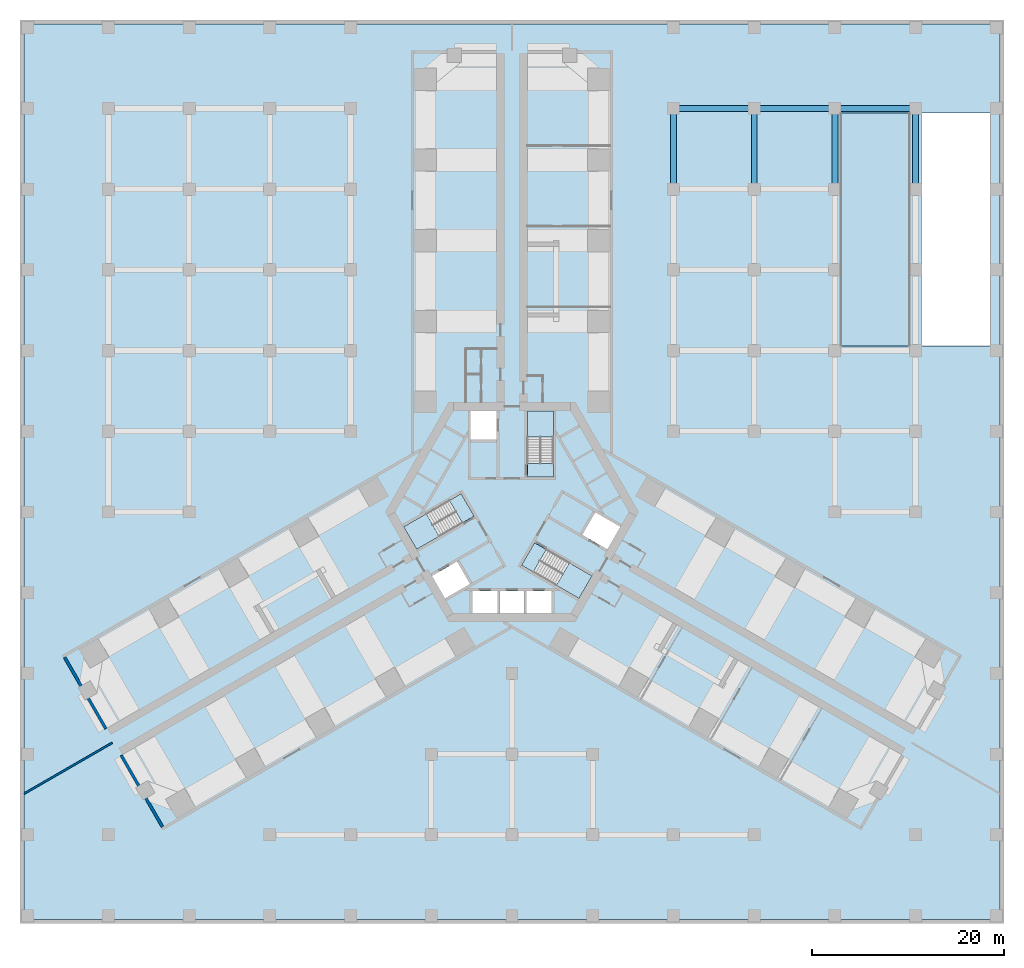
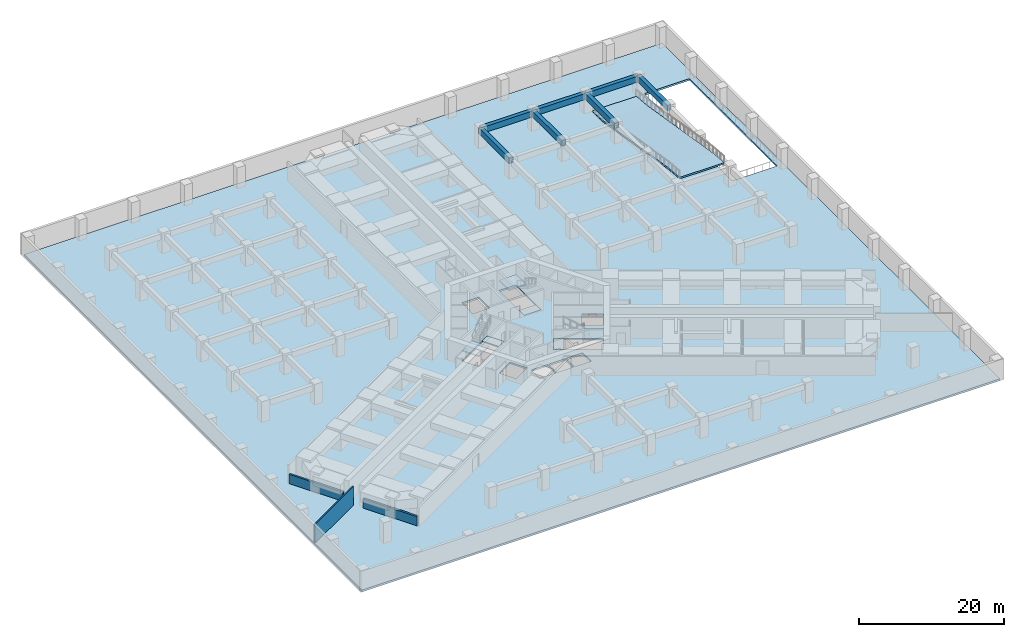
# One storey, part 3 of 10: 8 slabs, 7 beams, 3 walls, 3 elements without a shape of their own.
"""IFC4 building model written with IfcOpenShell, lengths in metres."""

from ifc_helpers import new_model, si_unit, direction, frame, frame_2d, origin, origin_2d, place, context, subcontext, project, spatial, polyline, rectangle, outline, extrude, material, layer, layer_set, material_profile, profile_set, type_object, element, aggregate, save


model = new_model("IFC4")

# Units and contexts
model_context = context("Model", 3, precision=1e-05, world=origin(), true_north=direction((0.0, 1.0)))
body_context = subcontext(model_context, "Body", "Model", "MODEL_VIEW")
ifc_project = project(units=[si_unit("LENGTHUNIT", "METRE"), si_unit("AREAUNIT", "SQUARE_METRE"), si_unit("VOLUMEUNIT", "CUBIC_METRE"), si_unit("PLANEANGLEUNIT", "RADIAN"), si_unit("MASSUNIT", "GRAM", prefix="KILO")], contexts=[model_context])

# Site, building, storey
site_placement = place(None, origin())
site = spatial("IfcSite", under=ifc_project, at=site_placement, CompositionType="ELEMENT")
building_placement = place(site_placement, origin())
building = spatial("IfcBuilding", under=site, at=building_placement, Name="Impinga Residences", CompositionType="ELEMENT")
storey_placement = place(building_placement, frame((0.0, 0.0, -3.5)))
storey = spatial("IfcBuildingStorey", under=building, at=storey_placement, Name="B1", CompositionType="ELEMENT", Elevation=-3.5)

# Beams
ifc_material_1 = material(Name="Concrete C60/75", Category="concrete")
ifc_material_profile = material_profile(ifc_material_1, rectangle(XDim=0.60009765625, YDim=1.0, at=origin_2d()), Name="RC 600x1000")
ifc_profile_set = profile_set([ifc_material_profile], Name="Concrete C60/75")
beam_type = type_object("IfcBeamType", Name="PB1 600x1000 basement and ground floor beam", PredefinedType="BEAM", material=ifc_profile_set)
beam_1_placement = place(storey_placement, frame((16.800048828125, 42.0, 2.64990234375), z_axis=(1.0, 0.0, 0.0), x_axis=(0.0, 1.0, 0.0)))
element("IfcBeam", 1, at=beam_1_placement, inside=storey, type_object=beam_type, Name="Beam PB1 L/9-10 level L00", PredefinedType="BEAM", context=body_context, shape_type="SweptSolid", body=[
    extrude(rectangle(XDim=0.60009765625, YDim=1.0, at=origin_2d()), origin(), (0.0, 0.0, 1.0), 8.39990234375),
])
beam_2_placement = place(storey_placement, frame((25.199951171875, 42.0, 2.64990234375), z_axis=(1.0, 0.0, 0.0), x_axis=(0.0, 1.0, 0.0)))
element("IfcBeam", 2, at=beam_2_placement, inside=storey, type_object=beam_type, Name="Beam PB1 L/10-11 level L00", PredefinedType="BEAM", context=body_context, shape_type="SweptSolid", body=[
    extrude(rectangle(XDim=0.60009765625, YDim=1.0, at=origin_2d()), origin(), (0.0, 0.0, 1.0), 8.400146484375),
])
for number, where, z_axis, x_axis, name in (
    (3, (33.60009765625, 42.0, 2.64990234375), (1.0, 0.0, 0.0), (0.0, 1.0, 0.0), "Beam PB1 L/11-12 level L00"),
    (4, (16.800048828125, 33.60009765625, 2.64990234375), (0.0, 1.0, 0.0), (-1.0, 0.0, 0.0), "Beam PB1 9/K-L level L00"),
    (5, (25.199951171875, 33.60009765625, 2.64990234375), (0.0, 1.0, 0.0), (-1.0, 0.0, 0.0), "Beam PB1 10/K-L level L00"),
    (6, (33.60009765625, 33.60009765625, 2.64990234375), (0.0, 1.0, 0.0), (-1.0, 0.0, 0.0), "Beam PB1 11/K-L level L00"),
    (7, (42.0, 33.60009765625, 2.64990234375), (0.0, 1.0, 0.0), (-1.0, 0.0, 0.0), "Beam PB1 12/K-L level L00"),
):
    element("IfcBeam", number, at=place(storey_placement, frame(where, z_axis=z_axis, x_axis=x_axis)), inside=storey, type_object=beam_type, Name=name, PredefinedType="BEAM", context=body_context, shape_type="SweptSolid", body=[
        extrude(rectangle(XDim=0.60009765625, YDim=1.0, at=origin_2d()), origin(), (0.0, 0.0, 1.0), 8.39990234375),
    ])

# Slab
ifc_layer_1 = layer(ifc_material_1, 0.300048828125)
ifc_layer_set_1 = layer_set([ifc_layer_1], Name="Concrete C60/75")
slab_type_1 = type_object("IfcSlabType", Name="FS2 podium, plant and crown floor slab 300", PredefinedType="FLOOR", material=ifc_layer_set_1)
slab_1_placement = place(storey_placement, frame((0.0, 0.0, -0.300048828125)))
element("IfcSlab", 8, at=slab_1_placement, inside=storey, type_object=slab_type_1, Name="Floor slab FS2 B1", PredefinedType="FLOOR", context=body_context, shape_type="SweptSolid", body=[
    extrude(outline(polyline([(-50.800048828125, 50.800048828125), (50.800048828125, 50.800048828125), (50.800048828125, -42.39990234375), (-50.800048828125, -42.39990234375), (-50.800048828125, 50.800048828125)]), holes=[polyline([(-4.10009765625, -10.531494140625), (-1.5, -10.531494140625), (-1.5, -8.2314453125), (-4.10009765625, -8.2314453125), (-4.10009765625, -10.531494140625)]), polyline([(-1.300048828125, -10.531494140625), (1.300048828125, -10.531494140625), (1.300048828125, -8.2314453125), (-1.300048828125, -8.2314453125), (-1.300048828125, -10.531494140625)]), polyline([(1.5, -10.531494140625), (4.10009765625, -10.531494140625), (4.10009765625, -8.2314453125), (1.5, -8.2314453125), (1.5, -10.531494140625)]), polyline([(-5.72119140625, -5.150634765625), (-8.320556640625, -6.6513671875), (-6.970458984375, -8.98974609375), (-4.37109375, -7.489013671875), (-5.72119140625, -5.150634765625)]), polyline([(0.99365234375, -5.538818359375), (6.970458984375, -8.98974609375), (8.320556640625, -6.6513671875), (2.34375, -3.20068359375), (0.99365234375, -5.538818359375)]), polyline([(9.920654296875, -3.880126953125), (11.2705078125, -1.541748046875), (8.671142578125, -0.041015625), (7.3212890625, -2.37939453125), (9.920654296875, -3.880126953125)]), polyline([(-11.2705078125, -1.541748046875), (-9.920654296875, -3.880126953125), (-3.943603515625, -0.429443359375), (-5.293701171875, 1.908935546875), (-11.2705078125, -1.541748046875)]), polyline([(4.300048828125, 10.531494140625), (1.60009765625, 10.531494140625), (1.60009765625, 3.6298828125), (4.300048828125, 3.6298828125), (4.300048828125, 10.531494140625)]), polyline([(-1.60009765625, 7.530029296875), (-1.60009765625, 10.531494140625), (-4.300048828125, 10.531494140625), (-4.300048828125, 7.530029296875), (-1.60009765625, 7.530029296875)]), polyline([(49.800048828125, 17.300048828125), (49.800048828125, 41.5), (42.60009765625, 41.5), (42.60009765625, 17.300048828125), (49.800048828125, 17.300048828125)])]), origin(), (0.0, 0.0, 1.0), 0.300048828125),
])

# Stair, slabs
ifc_material_2 = material(Name="Concrete C40/50", Category="concrete")
stair_type = type_object("IfcStairType", Name="STR core stair 3500 storey, 22 risers", PredefinedType="HALF_TURN_STAIR", material=ifc_material_2)
stair_1_placement = place(storey_placement, origin())
stair_1 = element("IfcStair", 9, at=stair_1_placement, inside=storey, type_object=stair_type, Name="Stair ST1 B1", PredefinedType="HALF_TURN_STAIR")
ifc_layer_2 = layer(ifc_material_2, 0.199951171875)
ifc_layer_set_2 = layer_set([ifc_layer_2], Name="Concrete C40/50")
slab_type_2 = type_object("IfcSlabType", Name="LS1 stair landing 200", PredefinedType="LANDING", material=ifc_layer_set_2)
slab_2_placement = place(storey_placement, frame((0.0, 0.0, -0.199951171875)))
slab_2 = element("IfcSlab", 10, at=slab_2_placement, type_object=slab_type_2, Name="ST1 landing 1", PredefinedType="LANDING", context=body_context, shape_type="SweptSolid", body=[
    extrude(outline(polyline([(1.60009765625, 3.6298828125), (4.300048828125, 3.6298828125), (4.300048828125, 5.0400390625), (1.60009765625, 5.0400390625), (1.60009765625, 3.6298828125)])), origin(), (0.0, 0.0, 1.0), 0.199951171875),
])
slab_3_placement = place(storey_placement, frame((0.0, 0.0, 1.550048828125)))
slab_3 = element("IfcSlab", 11, at=slab_3_placement, type_object=slab_type_2, Name="ST1 landing 2", PredefinedType="LANDING", context=body_context, shape_type="SweptSolid", body=[
    extrude(outline(polyline([(1.60009765625, 7.820068359375), (4.300048828125, 7.820068359375), (4.300048828125, 10.531494140625), (1.60009765625, 10.531494140625), (1.60009765625, 7.820068359375)])), origin(), (0.0, 0.0, 1.0), 0.199951171875),
])
aggregate(stair_1, [slab_2, slab_3])

stair_2_placement = place(storey_placement, origin())
stair_2 = element("IfcStair", 12, at=stair_2_placement, inside=storey, type_object=stair_type, Name="Stair ST2 B1", PredefinedType="HALF_TURN_STAIR")
slab_4_placement = place(storey_placement, frame((0.0, 0.0, -0.199951171875)))
slab_4 = element("IfcSlab", 13, at=slab_4_placement, type_object=slab_type_2, Name="ST2 landing 1", PredefinedType="LANDING", context=body_context, shape_type="SweptSolid", body=[
    extrude(outline(polyline([(-3.943603515625, -0.429443359375), (-5.293701171875, 1.908935546875), (-6.5146484375, 1.203857421875), (-5.164794921875, -1.13427734375), (-3.943603515625, -0.429443359375)])), origin(), (0.0, 0.0, 1.0), 0.199951171875),
])
slab_5_placement = place(storey_placement, frame((0.0, 0.0, 1.550048828125)))
slab_5 = element("IfcSlab", 14, at=slab_5_placement, type_object=slab_type_2, Name="ST2 landing 2", PredefinedType="LANDING", context=body_context, shape_type="SweptSolid", body=[
    extrude(outline(polyline([(-7.572265625, -2.5244140625), (-8.92236328125, -0.18603515625), (-11.2705078125, -1.541748046875), (-9.920654296875, -3.880126953125), (-7.572265625, -2.5244140625)])), origin(), (0.0, 0.0, 1.0), 0.199951171875),
])
aggregate(stair_2, [slab_4, slab_5])

stair_3_placement = place(storey_placement, origin())
stair_3 = element("IfcStair", 15, at=stair_3_placement, inside=storey, type_object=stair_type, Name="Stair ST3 B1", PredefinedType="HALF_TURN_STAIR")
slab_6_placement = place(storey_placement, frame((0.0, 0.0, -0.199951171875)))
slab_6 = element("IfcSlab", 16, at=slab_6_placement, type_object=slab_type_2, Name="ST3 landing 1", PredefinedType="LANDING", context=body_context, shape_type="SweptSolid", body=[
    extrude(outline(polyline([(2.34375, -3.20068359375), (0.99365234375, -5.538818359375), (2.21484375, -6.243896484375), (3.564697265625, -3.90576171875), (2.34375, -3.20068359375)])), origin(), (0.0, 0.0, 1.0), 0.199951171875),
])
slab_7_placement = place(storey_placement, frame((0.0, 0.0, 1.550048828125)))
slab_7 = element("IfcSlab", 17, at=slab_7_placement, type_object=slab_type_2, Name="ST3 landing 2", PredefinedType="LANDING", context=body_context, shape_type="SweptSolid", body=[
    extrude(outline(polyline([(5.972412109375, -5.295654296875), (4.622314453125, -7.6337890625), (6.970458984375, -8.98974609375), (8.320556640625, -6.6513671875), (5.972412109375, -5.295654296875)])), origin(), (0.0, 0.0, 1.0), 0.199951171875),
])
aggregate(stair_3, [slab_6, slab_7])

# Slab
ifc_layer_3 = layer(ifc_material_1, 0.25)
ifc_layer_set_3 = layer_set([ifc_layer_3], Name="Concrete C60/75")
slab_type_3 = type_object("IfcSlabType", Name="RF1 car park ramp slab 250", PredefinedType="FLOOR", material=ifc_layer_set_3)
slab_8_placement = place(storey_placement, frame((41.35009765625, 41.5, 0.0), z_axis=(1.0, 0.0, 0.0), x_axis=(0.0, -0.99661255374, 0.082240000773)))
element("IfcSlab", 18, at=slab_8_placement, inside=storey, type_object=slab_type_3, Name="Car park ramp slab B1", PredefinedType="FLOOR", context=body_context, shape_type="SweptSolid", body=[
    extrude(outline(polyline([(0.0, 0.0), (3.0101968801624057, 2.7755575615628914e-17), (21.395618260336434, -1.4979399350213556), (24.40581514049884, -1.4979399350213554), (24.415790998580714, -1.4971167318886225), (24.394949904634945, -1.2445572028889835), (24.384974046553072, -1.2453804060217164), (21.374777166390665, -1.2453804060217162), (2.9893557862166347, 0.2525595289996391), (-0.020841093945771, 0.25255952899963907), (0.0, 0.0)])), origin(), (0.0, 0.0, -1.0), 7.10009765625),
])

# Walls
ifc_material_3 = material(Name="Concrete blockwork", Category="masonry")
ifc_layer_4 = layer(ifc_material_3, 0.199951171875)
ifc_layer_set_4 = layer_set([ifc_layer_4], Name="PW2 podium compartment wall 200")
wall_type_1 = type_object("IfcWallType", Name="PW2 podium compartment wall 200", PredefinedType="SOLIDWALL", material=ifc_layer_set_4)
wall_placement = place(storey_placement, frame((-41.596435546875, -24.015869140625, 0.0), z_axis=(0.0, 0.0, 1.0), x_axis=(-0.866034858292, -0.499983623955, 0.0)))
element("IfcWall", 19, at=wall_placement, inside=storey, type_object=wall_type_1, Name="Podium compartment wall B1:REG:W", PredefinedType="SOLIDWALL", context=body_context, shape_type="SweptSolid", body=[
    extrude(rectangle(XDim=10.627197265625, YDim=0.199951171875, at=frame_2d((5.3134765625, 0.0))), origin(), (0.0, 0.0, 1.0), 3.14990234375),
])
ifc_layer_5 = layer(ifc_material_3, 0.300048828125)
ifc_layer_set_5 = layer_set([ifc_layer_5], Name="PW3 podium wall on the wing face 300")
wall_type_2 = type_object("IfcWallType", Name="PW3 podium wall on the wing face 300", PredefinedType="SOLIDWALL", material=ifc_layer_set_5)
for number, where, z_axis, x_axis, name in (
    (20, (-40.666748046875, -25.326416015625, 0.0), (0.0, 0.0, 1.0), (0.500007509209, -0.866021068297, 0.0), "Podium wall on the wing face B1:END:WA"),
    (21, (-42.2666015625, -22.55517578125, 0.0), (0.0, 0.0, 1.0), (-0.500007509209, 0.866021068297, 0.0), "Podium wall on the wing face B1:END:WF"),
):
    element("IfcWall", number, at=place(storey_placement, frame(where, z_axis=z_axis, x_axis=x_axis)), inside=storey, type_object=wall_type_2, Name=name, PredefinedType="SOLIDWALL", context=body_context, shape_type="SweptSolid", body=[
        extrude(rectangle(XDim=8.599853515625, YDim=0.300048828125, at=frame_2d((4.2998046875, 0.0))), origin(), (0.0, 0.0, 1.0), 1.550048828125),
    ])

save(model, "model.ifc")
